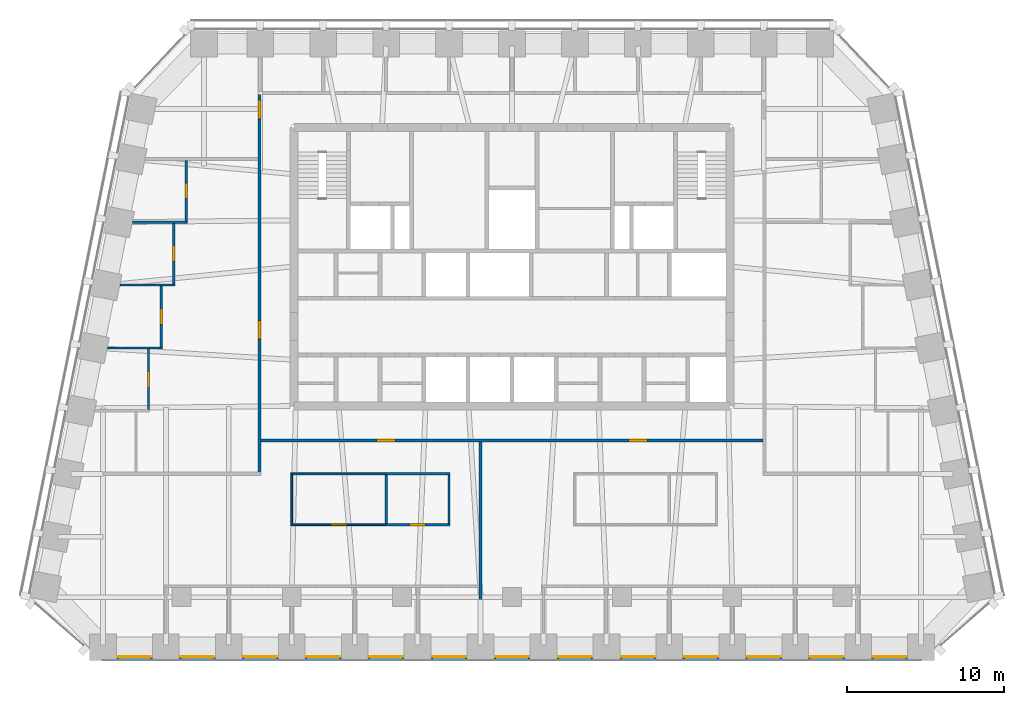
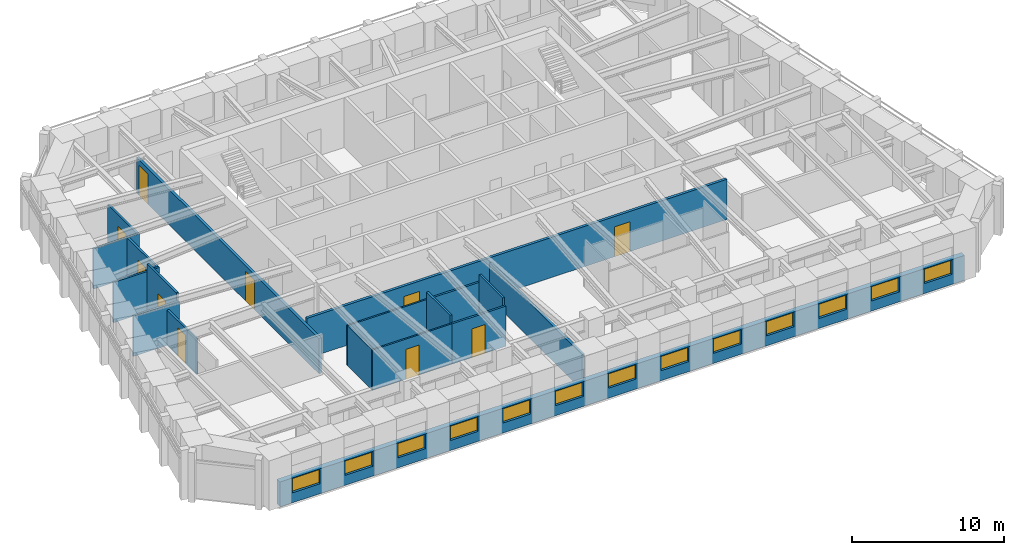
# One storey, part 5 of 11: 18 walls, 13 windows, 10 doors, 23 openings.
"""IFC4 building model written with IfcOpenShell, lengths in metres."""

from ifc_helpers import new_model, si_unit, direction, frame, frame_2d, origin, place, context, subcontext, project, spatial, rectangle, extrude, material, layer, layer_set, type_object, element, fill, save


model = new_model("IFC4")

# Units and contexts
model_context = context("Model", 3, precision=1e-05, world=origin(), true_north=direction((0.0, 1.0)))
body_context = subcontext(model_context, "Body", "Model", "MODEL_VIEW")
ifc_project = project(units=[si_unit("LENGTHUNIT", "METRE"), si_unit("AREAUNIT", "SQUARE_METRE"), si_unit("VOLUMEUNIT", "CUBIC_METRE"), si_unit("PLANEANGLEUNIT", "RADIAN"), si_unit("MASSUNIT", "GRAM", prefix="KILO")], contexts=[model_context])

# Site, building, storey
site_placement = place(None, origin())
site = spatial("IfcSite", under=ifc_project, at=site_placement, CompositionType="ELEMENT")
building_placement = place(site_placement, origin())
building = spatial("IfcBuilding", under=site, at=building_placement, Name="Isbrekke Arena Tower", CompositionType="ELEMENT")
storey_placement = place(building_placement, frame((0.0, 0.0, 276.0)))
storey = spatial("IfcBuildingStorey", under=building, at=storey_placement, Name="L64", CompositionType="ELEMENT", Elevation=276.0)

# Wall, openings, windows
ifc_material_1 = material(Name="Copper cladding on insulated framing", Category="metal")
ifc_layer_1 = layer(ifc_material_1, 0.39990234375)
ifc_layer_set_1 = layer_set([ifc_layer_1], Name="EW2 COPPER-CLAD WALL 400")
wall_type_1 = type_object("IfcWallType", Name="EW2 COPPER-CLAD WALL 400", PredefinedType="SOLIDWALL", material=ifc_layer_set_1)
wall_1_placement = place(storey_placement, frame((-26.0, -9.800048828125, 0.0), z_axis=(0.0, 0.0, 1.0), x_axis=(1.0, 0.0, 0.0)))
wall_1 = element("IfcWall", 1, at=wall_1_placement, inside=storey, type_object=wall_type_1, Name="EW2 terrace wall L64", PredefinedType="SOLIDWALL", context=body_context, shape_type="SweptSolid", body=[
    extrude(rectangle(XDim=52.0, YDim=0.39990234375, at=frame_2d((26.0, 0.0))), origin(), (0.0, 0.0, 1.0), 2.0),
])
opening_1_placement = place(wall_1_placement, frame((0.949951171875, 0.0, 0.800048828125)))
opening_1 = element("IfcOpeningElement", 2, at=opening_1_placement, cuts=wall_1, Name="Opening WN1", PredefinedType="OPENING", context=body_context, shape_type="SweptSolid", body=[
    extrude(rectangle(XDim=2.10009765625, YDim=1.14990234375, at=frame_2d((1.050048828125, 0.574951171875))), frame((0.0, 0.21484375, 0.0), z_axis=(0.0, -1.0, 0.0), x_axis=(1.0, 0.0, 0.0)), (0.0, 0.0, 1.0), 0.4296875),
])
opening_2_placement = place(wall_1_placement, frame((4.949951171875, 0.0, 0.800048828125)))
opening_2 = element("IfcOpeningElement", 3, at=opening_2_placement, cuts=wall_1, Name="Opening WN1", PredefinedType="OPENING", context=body_context, shape_type="SweptSolid", body=[
    extrude(rectangle(XDim=2.10009765625, YDim=1.14990234375, at=frame_2d((1.050048828125, 0.574951171875))), frame((0.0, 0.21484375, 0.0), z_axis=(0.0, -1.0, 0.0), x_axis=(1.0, 0.0, 0.0)), (0.0, 0.0, 1.0), 0.4296875),
])
opening_3_placement = place(wall_1_placement, frame((8.949951171875, 0.0, 0.800048828125)))
opening_3 = element("IfcOpeningElement", 4, at=opening_3_placement, cuts=wall_1, Name="Opening WN1", PredefinedType="OPENING", context=body_context, shape_type="SweptSolid", body=[
    extrude(rectangle(XDim=2.10009765625, YDim=1.14990234375, at=frame_2d((1.050048828125, 0.574951171875))), frame((0.0, 0.21484375, 0.0), z_axis=(0.0, -1.0, 0.0), x_axis=(1.0, 0.0, 0.0)), (0.0, 0.0, 1.0), 0.4296875),
])
opening_4_placement = place(wall_1_placement, frame((12.949951171875, 0.0, 0.800048828125)))
opening_4 = element("IfcOpeningElement", 5, at=opening_4_placement, cuts=wall_1, Name="Opening WN1", PredefinedType="OPENING", context=body_context, shape_type="SweptSolid", body=[
    extrude(rectangle(XDim=2.10009765625, YDim=1.14990234375, at=frame_2d((1.050048828125, 0.574951171875))), frame((0.0, 0.21484375, 0.0), z_axis=(0.0, -1.0, 0.0), x_axis=(1.0, 0.0, 0.0)), (0.0, 0.0, 1.0), 0.4296875),
])
opening_5_placement = place(wall_1_placement, frame((16.949951171875, 0.0, 0.800048828125)))
opening_5 = element("IfcOpeningElement", 6, at=opening_5_placement, cuts=wall_1, Name="Opening WN1", PredefinedType="OPENING", context=body_context, shape_type="SweptSolid", body=[
    extrude(rectangle(XDim=2.10009765625, YDim=1.14990234375, at=frame_2d((1.050048828125, 0.574951171875))), frame((0.0, 0.21484375, 0.0), z_axis=(0.0, -1.0, 0.0), x_axis=(1.0, 0.0, 0.0)), (0.0, 0.0, 1.0), 0.4296875),
])
opening_6_placement = place(wall_1_placement, frame((20.949951171875, 0.0, 0.800048828125)))
opening_6 = element("IfcOpeningElement", 7, at=opening_6_placement, cuts=wall_1, Name="Opening WN1", PredefinedType="OPENING", context=body_context, shape_type="SweptSolid", body=[
    extrude(rectangle(XDim=2.10009765625, YDim=1.14990234375, at=frame_2d((1.050048828125, 0.574951171875))), frame((0.0, 0.21484375, 0.0), z_axis=(0.0, -1.0, 0.0), x_axis=(1.0, 0.0, 0.0)), (0.0, 0.0, 1.0), 0.4296875),
])
opening_7_placement = place(wall_1_placement, frame((24.949951171875, 0.0, 0.800048828125)))
opening_7 = element("IfcOpeningElement", 8, at=opening_7_placement, cuts=wall_1, Name="Opening WN1", PredefinedType="OPENING", context=body_context, shape_type="SweptSolid", body=[
    extrude(rectangle(XDim=2.10009765625, YDim=1.14990234375, at=frame_2d((1.050048828125, 0.574951171875))), frame((0.0, 0.21484375, 0.0), z_axis=(0.0, -1.0, 0.0), x_axis=(1.0, 0.0, 0.0)), (0.0, 0.0, 1.0), 0.4296875),
])
opening_8_placement = place(wall_1_placement, frame((28.949951171875, 0.0, 0.800048828125)))
opening_8 = element("IfcOpeningElement", 9, at=opening_8_placement, cuts=wall_1, Name="Opening WN1", PredefinedType="OPENING", context=body_context, shape_type="SweptSolid", body=[
    extrude(rectangle(XDim=2.10009765625, YDim=1.14990234375, at=frame_2d((1.050048828125, 0.574951171875))), frame((0.0, 0.21484375, 0.0), z_axis=(0.0, -1.0, 0.0), x_axis=(1.0, 0.0, 0.0)), (0.0, 0.0, 1.0), 0.4296875),
])
opening_9_placement = place(wall_1_placement, frame((32.949951171875, 0.0, 0.800048828125)))
opening_9 = element("IfcOpeningElement", 10, at=opening_9_placement, cuts=wall_1, Name="Opening WN1", PredefinedType="OPENING", context=body_context, shape_type="SweptSolid", body=[
    extrude(rectangle(XDim=2.10009765625, YDim=1.14990234375, at=frame_2d((1.050048828125, 0.574951171875))), frame((0.0, 0.21484375, 0.0), z_axis=(0.0, -1.0, 0.0), x_axis=(1.0, 0.0, 0.0)), (0.0, 0.0, 1.0), 0.4296875),
])
opening_10_placement = place(wall_1_placement, frame((36.949951171875, 0.0, 0.800048828125)))
opening_10 = element("IfcOpeningElement", 11, at=opening_10_placement, cuts=wall_1, Name="Opening WN1", PredefinedType="OPENING", context=body_context, shape_type="SweptSolid", body=[
    extrude(rectangle(XDim=2.10009765625, YDim=1.14990234375, at=frame_2d((1.050048828125, 0.574951171875))), frame((0.0, 0.21484375, 0.0), z_axis=(0.0, -1.0, 0.0), x_axis=(1.0, 0.0, 0.0)), (0.0, 0.0, 1.0), 0.4296875),
])
opening_11_placement = place(wall_1_placement, frame((40.949951171875, 0.0, 0.800048828125)))
opening_11 = element("IfcOpeningElement", 12, at=opening_11_placement, cuts=wall_1, Name="Opening WN1", PredefinedType="OPENING", context=body_context, shape_type="SweptSolid", body=[
    extrude(rectangle(XDim=2.10009765625, YDim=1.14990234375, at=frame_2d((1.050048828125, 0.574951171875))), frame((0.0, 0.21484375, 0.0), z_axis=(0.0, -1.0, 0.0), x_axis=(1.0, 0.0, 0.0)), (0.0, 0.0, 1.0), 0.4296875),
])
opening_12_placement = place(wall_1_placement, frame((44.949951171875, 0.0, 0.800048828125)))
opening_12 = element("IfcOpeningElement", 13, at=opening_12_placement, cuts=wall_1, Name="Opening WN1", PredefinedType="OPENING", context=body_context, shape_type="SweptSolid", body=[
    extrude(rectangle(XDim=2.10009765625, YDim=1.14990234375, at=frame_2d((1.050048828125, 0.574951171875))), frame((0.0, 0.21484375, 0.0), z_axis=(0.0, -1.0, 0.0), x_axis=(1.0, 0.0, 0.0)), (0.0, 0.0, 1.0), 0.4296875),
])
opening_13_placement = place(wall_1_placement, frame((48.949951171875, 0.0, 0.800048828125)))
opening_13 = element("IfcOpeningElement", 14, at=opening_13_placement, cuts=wall_1, Name="Opening WN1", PredefinedType="OPENING", context=body_context, shape_type="SweptSolid", body=[
    extrude(rectangle(XDim=2.10009765625, YDim=1.14990234375, at=frame_2d((1.050048828125, 0.574951171875))), frame((0.0, 0.21484375, 0.0), z_axis=(0.0, -1.0, 0.0), x_axis=(1.0, 0.0, 0.0)), (0.0, 0.0, 1.0), 0.4296875),
])
ifc_material_2 = material(Name="Timber-aluminium window, triple glazed", Category="wood")
window_type = type_object("IfcWindowType", Name="WN1 TERRACE WINDOW 2100 x 1150", PartitioningType="SINGLE_PANEL", PredefinedType="WINDOW", material=ifc_material_2)
window_1_placement = place(opening_1_placement, origin())
window_1 = element("IfcWindow", 15, at=window_1_placement, inside=storey, type_object=window_type, Name="WN1 terrace window L64-1", OverallHeight=1.14990234375, OverallWidth=2.10009765625, PartitioningType="SINGLE_PANEL", PredefinedType="WINDOW", context=body_context, shape_type="SweptSolid", body=[
    extrude(rectangle(XDim=2.10009765625, YDim=1.14990234375, at=frame_2d((1.050048828125, 0.574951171875))), frame((0.0, 0.030029296875, 0.0), z_axis=(0.0, -1.0, 0.0), x_axis=(1.0, 0.0, 0.0)), (0.0, 0.0, 1.0), 0.06005859375),
])
fill(opening_1, window_1)
window_2_placement = place(opening_2_placement, origin())
window_2 = element("IfcWindow", 16, at=window_2_placement, inside=storey, type_object=window_type, Name="WN1 terrace window L64-2", OverallHeight=1.14990234375, OverallWidth=2.10009765625, PartitioningType="SINGLE_PANEL", PredefinedType="WINDOW", context=body_context, shape_type="SweptSolid", body=[
    extrude(rectangle(XDim=2.10009765625, YDim=1.14990234375, at=frame_2d((1.050048828125, 0.574951171875))), frame((0.0, 0.030029296875, 0.0), z_axis=(0.0, -1.0, 0.0), x_axis=(1.0, 0.0, 0.0)), (0.0, 0.0, 1.0), 0.06005859375),
])
fill(opening_2, window_2)
window_3_placement = place(opening_3_placement, origin())
window_3 = element("IfcWindow", 17, at=window_3_placement, inside=storey, type_object=window_type, Name="WN1 terrace window L64-3", OverallHeight=1.14990234375, OverallWidth=2.10009765625, PartitioningType="SINGLE_PANEL", PredefinedType="WINDOW", context=body_context, shape_type="SweptSolid", body=[
    extrude(rectangle(XDim=2.10009765625, YDim=1.14990234375, at=frame_2d((1.050048828125, 0.574951171875))), frame((0.0, 0.030029296875, 0.0), z_axis=(0.0, -1.0, 0.0), x_axis=(1.0, 0.0, 0.0)), (0.0, 0.0, 1.0), 0.06005859375),
])
fill(opening_3, window_3)
window_4_placement = place(opening_4_placement, origin())
window_4 = element("IfcWindow", 18, at=window_4_placement, inside=storey, type_object=window_type, Name="WN1 terrace window L64-4", OverallHeight=1.14990234375, OverallWidth=2.10009765625, PartitioningType="SINGLE_PANEL", PredefinedType="WINDOW", context=body_context, shape_type="SweptSolid", body=[
    extrude(rectangle(XDim=2.10009765625, YDim=1.14990234375, at=frame_2d((1.050048828125, 0.574951171875))), frame((0.0, 0.030029296875, 0.0), z_axis=(0.0, -1.0, 0.0), x_axis=(1.0, 0.0, 0.0)), (0.0, 0.0, 1.0), 0.06005859375),
])
fill(opening_4, window_4)
window_5_placement = place(opening_5_placement, origin())
window_5 = element("IfcWindow", 19, at=window_5_placement, inside=storey, type_object=window_type, Name="WN1 terrace window L64-5", OverallHeight=1.14990234375, OverallWidth=2.10009765625, PartitioningType="SINGLE_PANEL", PredefinedType="WINDOW", context=body_context, shape_type="SweptSolid", body=[
    extrude(rectangle(XDim=2.10009765625, YDim=1.14990234375, at=frame_2d((1.050048828125, 0.574951171875))), frame((0.0, 0.030029296875, 0.0), z_axis=(0.0, -1.0, 0.0), x_axis=(1.0, 0.0, 0.0)), (0.0, 0.0, 1.0), 0.06005859375),
])
fill(opening_5, window_5)
window_6_placement = place(opening_6_placement, origin())
window_6 = element("IfcWindow", 20, at=window_6_placement, inside=storey, type_object=window_type, Name="WN1 terrace window L64-6", OverallHeight=1.14990234375, OverallWidth=2.10009765625, PartitioningType="SINGLE_PANEL", PredefinedType="WINDOW", context=body_context, shape_type="SweptSolid", body=[
    extrude(rectangle(XDim=2.10009765625, YDim=1.14990234375, at=frame_2d((1.050048828125, 0.574951171875))), frame((0.0, 0.030029296875, 0.0), z_axis=(0.0, -1.0, 0.0), x_axis=(1.0, 0.0, 0.0)), (0.0, 0.0, 1.0), 0.06005859375),
])
fill(opening_6, window_6)
window_7_placement = place(opening_7_placement, origin())
window_7 = element("IfcWindow", 21, at=window_7_placement, inside=storey, type_object=window_type, Name="WN1 terrace window L64-7", OverallHeight=1.14990234375, OverallWidth=2.10009765625, PartitioningType="SINGLE_PANEL", PredefinedType="WINDOW", context=body_context, shape_type="SweptSolid", body=[
    extrude(rectangle(XDim=2.10009765625, YDim=1.14990234375, at=frame_2d((1.050048828125, 0.574951171875))), frame((0.0, 0.030029296875, 0.0), z_axis=(0.0, -1.0, 0.0), x_axis=(1.0, 0.0, 0.0)), (0.0, 0.0, 1.0), 0.06005859375),
])
fill(opening_7, window_7)
window_8_placement = place(opening_8_placement, origin())
window_8 = element("IfcWindow", 22, at=window_8_placement, inside=storey, type_object=window_type, Name="WN1 terrace window L64-8", OverallHeight=1.14990234375, OverallWidth=2.10009765625, PartitioningType="SINGLE_PANEL", PredefinedType="WINDOW", context=body_context, shape_type="SweptSolid", body=[
    extrude(rectangle(XDim=2.10009765625, YDim=1.14990234375, at=frame_2d((1.050048828125, 0.574951171875))), frame((0.0, 0.030029296875, 0.0), z_axis=(0.0, -1.0, 0.0), x_axis=(1.0, 0.0, 0.0)), (0.0, 0.0, 1.0), 0.06005859375),
])
fill(opening_8, window_8)
window_9_placement = place(opening_9_placement, origin())
window_9 = element("IfcWindow", 23, at=window_9_placement, inside=storey, type_object=window_type, Name="WN1 terrace window L64-9", OverallHeight=1.14990234375, OverallWidth=2.10009765625, PartitioningType="SINGLE_PANEL", PredefinedType="WINDOW", context=body_context, shape_type="SweptSolid", body=[
    extrude(rectangle(XDim=2.10009765625, YDim=1.14990234375, at=frame_2d((1.050048828125, 0.574951171875))), frame((0.0, 0.030029296875, 0.0), z_axis=(0.0, -1.0, 0.0), x_axis=(1.0, 0.0, 0.0)), (0.0, 0.0, 1.0), 0.06005859375),
])
fill(opening_9, window_9)
window_10_placement = place(opening_10_placement, origin())
window_10 = element("IfcWindow", 24, at=window_10_placement, inside=storey, type_object=window_type, Name="WN1 terrace window L64-10", OverallHeight=1.14990234375, OverallWidth=2.10009765625, PartitioningType="SINGLE_PANEL", PredefinedType="WINDOW", context=body_context, shape_type="SweptSolid", body=[
    extrude(rectangle(XDim=2.10009765625, YDim=1.14990234375, at=frame_2d((1.050048828125, 0.574951171875))), frame((0.0, 0.030029296875, 0.0), z_axis=(0.0, -1.0, 0.0), x_axis=(1.0, 0.0, 0.0)), (0.0, 0.0, 1.0), 0.06005859375),
])
fill(opening_10, window_10)
window_11_placement = place(opening_11_placement, origin())
window_11 = element("IfcWindow", 25, at=window_11_placement, inside=storey, type_object=window_type, Name="WN1 terrace window L64-11", OverallHeight=1.14990234375, OverallWidth=2.10009765625, PartitioningType="SINGLE_PANEL", PredefinedType="WINDOW", context=body_context, shape_type="SweptSolid", body=[
    extrude(rectangle(XDim=2.10009765625, YDim=1.14990234375, at=frame_2d((1.050048828125, 0.574951171875))), frame((0.0, 0.030029296875, 0.0), z_axis=(0.0, -1.0, 0.0), x_axis=(1.0, 0.0, 0.0)), (0.0, 0.0, 1.0), 0.06005859375),
])
fill(opening_11, window_11)
window_12_placement = place(opening_12_placement, origin())
window_12 = element("IfcWindow", 26, at=window_12_placement, inside=storey, type_object=window_type, Name="WN1 terrace window L64-12", OverallHeight=1.14990234375, OverallWidth=2.10009765625, PartitioningType="SINGLE_PANEL", PredefinedType="WINDOW", context=body_context, shape_type="SweptSolid", body=[
    extrude(rectangle(XDim=2.10009765625, YDim=1.14990234375, at=frame_2d((1.050048828125, 0.574951171875))), frame((0.0, 0.030029296875, 0.0), z_axis=(0.0, -1.0, 0.0), x_axis=(1.0, 0.0, 0.0)), (0.0, 0.0, 1.0), 0.06005859375),
])
fill(opening_12, window_12)
window_13_placement = place(opening_13_placement, origin())
window_13 = element("IfcWindow", 27, at=window_13_placement, inside=storey, type_object=window_type, Name="WN1 terrace window L64-13", OverallHeight=1.14990234375, OverallWidth=2.10009765625, PartitioningType="SINGLE_PANEL", PredefinedType="WINDOW", context=body_context, shape_type="SweptSolid", body=[
    extrude(rectangle(XDim=2.10009765625, YDim=1.14990234375, at=frame_2d((1.050048828125, 0.574951171875))), frame((0.0, 0.030029296875, 0.0), z_axis=(0.0, -1.0, 0.0), x_axis=(1.0, 0.0, 0.0)), (0.0, 0.0, 1.0), 0.06005859375),
])
fill(opening_13, window_13)

# Wall, opening, door
ifc_material_3 = material(Name="Gypsum board partition on steel studs", Category="steel")
ifc_layer_2 = layer(ifc_material_3, 0.14990234375)
ifc_layer_set_2 = layer_set([ifc_layer_2], Name="IW1 PARTITION 150")
wall_type_2 = type_object("IfcWallType", Name="IW1 PARTITION 150", PredefinedType="PARTITIONING", material=ifc_layer_set_2)
wall_2_placement = place(storey_placement, frame((-8.0, -1.39990234375, 0.0), z_axis=(0.0, 0.0, 1.0), x_axis=(1.0, 0.0, 0.0)))
wall_2 = element("IfcWall", 28, at=wall_2_placement, inside=storey, type_object=wall_type_2, Name="IW1 partition 150 L64", PredefinedType="PARTITIONING", context=body_context, shape_type="SweptSolid", body=[
    extrude(rectangle(XDim=4.074951171875, YDim=0.14990234375, at=frame_2d((2.03759765625, 0.0))), origin(), (0.0, 0.0, 1.0), 3.22998046875),
])
opening_14_placement = place(wall_2_placement, frame((1.5, 0.0, 0.0)))
opening_14 = element("IfcOpeningElement", 29, at=opening_14_placement, cuts=wall_2, Name="Opening D10", PredefinedType="OPENING", context=body_context, shape_type="SweptSolid", body=[
    extrude(rectangle(XDim=1.0, YDim=2.300048828125, at=frame_2d((0.5, 1.14990234375))), frame((0.0, 0.08984375, 0.0), z_axis=(0.0, -1.0, 0.0), x_axis=(1.0, 0.0, 0.0)), (0.0, 0.0, 1.0), 0.1796875),
])
ifc_material_4 = material(Name="Timber door", Category="wood")
door_type_1 = type_object("IfcDoorType", Name="D10 OFFICE DOOR 1000 x 2300", OperationType="SINGLE_SWING_LEFT", PredefinedType="DOOR", material=ifc_material_4)
door_1_placement = place(opening_14_placement, origin())
door_1 = element("IfcDoor", 30, at=door_1_placement, inside=storey, type_object=door_type_1, Name="D10 pantry door L64", OperationType="SINGLE_SWING_LEFT", OverallHeight=2.300048828125, OverallWidth=1.0, PredefinedType="DOOR", context=body_context, shape_type="SweptSolid", body=[
    extrude(rectangle(XDim=1.0, YDim=2.300048828125, at=frame_2d((0.5, 1.14990234375))), frame((0.0, 0.07470703125, 0.0), z_axis=(0.0, -1.0, 0.0), x_axis=(1.0, 0.0, 0.0)), (0.0, 0.0, 1.0), 0.1494140625),
])
fill(opening_14, door_1)

# Walls
wall_3_placement = place(storey_placement, frame((-8.0, 1.840087890625, 0.0), z_axis=(0.0, 0.0, 1.0), x_axis=(1.0, 0.0, 0.0)))
element("IfcWall", 31, at=wall_3_placement, inside=storey, type_object=wall_type_2, Name="IW1 partition 150 L64", PredefinedType="PARTITIONING", context=body_context, shape_type="SweptSolid", body=[
    extrude(rectangle(XDim=4.074951171875, YDim=0.14990234375, at=frame_2d((2.03759765625, 0.0))), origin(), (0.0, 0.0, 1.0), 3.22998046875),
])
for number, where, z_axis, x_axis, name in (
    (32, (-25.723876953125, 9.840087890625, 0.0), (0.0, 0.0, 1.0), (1.0, 0.0, 0.0), "IW1 partition 150 L64"),
    (33, (-24.923828125, 13.840087890625, 0.0), (0.0, 0.0, 1.0), (1.0, 0.0, 0.0), "IW1 partition 150 L64"),
    (34, (-24.123779296875, 17.840087890625, 0.0), (0.0, 0.0, 1.0), (1.0, 0.0, 0.0), "IW1 partition 150 L64"),
):
    element("IfcWall", number, at=place(storey_placement, frame(where, z_axis=z_axis, x_axis=x_axis)), inside=storey, type_object=wall_type_2, Name=name, PredefinedType="PARTITIONING", context=body_context, shape_type="SweptSolid", body=[
        extrude(rectangle(XDim=3.498779296875, YDim=0.14990234375, at=frame_2d((1.74951171875, 0.0))), origin(), (0.0, 0.0, 1.0), 3.22998046875),
    ])

# Wall, opening, door
wall_4_placement = place(storey_placement, frame((-23.10009765625, 5.9150390625, 0.0), z_axis=(0.0, 0.0, 1.0), x_axis=(0.0, 1.0, 0.0)))
wall_4 = element("IfcWall", 35, at=wall_4_placement, inside=storey, type_object=wall_type_2, Name="IW1 partition 150 L64", PredefinedType="PARTITIONING", context=body_context, shape_type="SweptSolid", body=[
    extrude(rectangle(XDim=3.849853515625, YDim=0.14990234375, at=frame_2d((1.9248046875, 0.0))), origin(), (0.0, 0.0, 1.0), 2.842041015625),
])
opening_15_placement = place(wall_4_placement, frame((1.425048828125, 0.0, 0.0)))
opening_15 = element("IfcOpeningElement", 36, at=opening_15_placement, cuts=wall_4, Name="Opening D10", PredefinedType="OPENING", context=body_context, shape_type="SweptSolid", body=[
    extrude(rectangle(XDim=1.0, YDim=2.300048828125, at=frame_2d((0.5, 1.14990234375))), frame((0.0, 0.08984375, 0.0), z_axis=(0.0, -1.0, 0.0), x_axis=(1.0, 0.0, 0.0)), (0.0, 0.0, 1.0), 0.1796875),
])
door_2_placement = place(opening_15_placement, origin())
door_2 = element("IfcDoor", 37, at=door_2_placement, inside=storey, type_object=door_type_1, Name="D10 office door L64", OperationType="SINGLE_SWING_LEFT", OverallHeight=2.300048828125, OverallWidth=1.0, PredefinedType="DOOR", context=body_context, shape_type="SweptSolid", body=[
    extrude(rectangle(XDim=1.0, YDim=2.300048828125, at=frame_2d((0.5, 1.14990234375))), frame((0.0, 0.07470703125, 0.0), z_axis=(0.0, -1.0, 0.0), x_axis=(1.0, 0.0, 0.0)), (0.0, 0.0, 1.0), 0.1494140625),
])
fill(opening_15, door_2)

wall_5_placement = place(storey_placement, frame((-22.300048828125, 9.9150390625, 0.0), z_axis=(0.0, 0.0, 1.0), x_axis=(0.0, 1.0, 0.0)))
wall_5 = element("IfcWall", 38, at=wall_5_placement, inside=storey, type_object=wall_type_2, Name="IW1 partition 150 L64", PredefinedType="PARTITIONING", context=body_context, shape_type="SweptSolid", body=[
    extrude(rectangle(XDim=3.849853515625, YDim=0.14990234375, at=frame_2d((1.9248046875, 0.0))), origin(), (0.0, 0.0, 1.0), 3.85009765625),
])
opening_16_placement = place(wall_5_placement, frame((1.425048828125, 0.0, 0.0)))
opening_16 = element("IfcOpeningElement", 39, at=opening_16_placement, cuts=wall_5, Name="Opening D10", PredefinedType="OPENING", context=body_context, shape_type="SweptSolid", body=[
    extrude(rectangle(XDim=1.0, YDim=2.300048828125, at=frame_2d((0.5, 1.14990234375))), frame((0.0, 0.08984375, 0.0), z_axis=(0.0, -1.0, 0.0), x_axis=(1.0, 0.0, 0.0)), (0.0, 0.0, 1.0), 0.1796875),
])
door_3_placement = place(opening_16_placement, origin())
door_3 = element("IfcDoor", 40, at=door_3_placement, inside=storey, type_object=door_type_1, Name="D10 office door L64", OperationType="SINGLE_SWING_LEFT", OverallHeight=2.300048828125, OverallWidth=1.0, PredefinedType="DOOR", context=body_context, shape_type="SweptSolid", body=[
    extrude(rectangle(XDim=1.0, YDim=2.300048828125, at=frame_2d((0.5, 1.14990234375))), frame((0.0, 0.07470703125, 0.0), z_axis=(0.0, -1.0, 0.0), x_axis=(1.0, 0.0, 0.0)), (0.0, 0.0, 1.0), 0.1494140625),
])
fill(opening_16, door_3)

wall_6_placement = place(storey_placement, frame((-21.5, 13.9150390625, 0.0), z_axis=(0.0, 0.0, 1.0), x_axis=(0.0, 1.0, 0.0)))
wall_6 = element("IfcWall", 41, at=wall_6_placement, inside=storey, type_object=wall_type_2, Name="IW1 partition 150 L64", PredefinedType="PARTITIONING", context=body_context, shape_type="SweptSolid", body=[
    extrude(rectangle(XDim=3.849853515625, YDim=0.14990234375, at=frame_2d((1.9248046875, 0.0))), origin(), (0.0, 0.0, 1.0), 3.22998046875),
])
opening_17_placement = place(wall_6_placement, frame((1.425048828125, 0.0, 0.0)))
opening_17 = element("IfcOpeningElement", 42, at=opening_17_placement, cuts=wall_6, Name="Opening D10", PredefinedType="OPENING", context=body_context, shape_type="SweptSolid", body=[
    extrude(rectangle(XDim=1.0, YDim=2.300048828125, at=frame_2d((0.5, 1.14990234375))), frame((0.0, 0.08984375, 0.0), z_axis=(0.0, -1.0, 0.0), x_axis=(1.0, 0.0, 0.0)), (0.0, 0.0, 1.0), 0.1796875),
])
door_4_placement = place(opening_17_placement, origin())
door_4 = element("IfcDoor", 43, at=door_4_placement, inside=storey, type_object=door_type_1, Name="D10 office door L64", OperationType="SINGLE_SWING_LEFT", OverallHeight=2.300048828125, OverallWidth=1.0, PredefinedType="DOOR", context=body_context, shape_type="SweptSolid", body=[
    extrude(rectangle(XDim=1.0, YDim=2.300048828125, at=frame_2d((0.5, 1.14990234375))), frame((0.0, 0.07470703125, 0.0), z_axis=(0.0, -1.0, 0.0), x_axis=(1.0, 0.0, 0.0)), (0.0, 0.0, 1.0), 0.1494140625),
])
fill(opening_17, door_4)

wall_7_placement = place(storey_placement, frame((-20.699951171875, 17.9150390625, 0.0), z_axis=(0.0, 0.0, 1.0), x_axis=(0.0, 1.0, 0.0)))
wall_7 = element("IfcWall", 44, at=wall_7_placement, inside=storey, type_object=wall_type_2, Name="IW1 partition 150 L64", PredefinedType="PARTITIONING", context=body_context, shape_type="SweptSolid", body=[
    extrude(rectangle(XDim=3.824951171875, YDim=0.14990234375, at=frame_2d((1.91259765625, 0.0))), origin(), (0.0, 0.0, 1.0), 3.22998046875),
])
opening_18_placement = place(wall_7_placement, frame((1.425048828125, 0.0, 0.0)))
opening_18 = element("IfcOpeningElement", 45, at=opening_18_placement, cuts=wall_7, Name="Opening D10", PredefinedType="OPENING", context=body_context, shape_type="SweptSolid", body=[
    extrude(rectangle(XDim=1.0, YDim=2.300048828125, at=frame_2d((0.5, 1.14990234375))), frame((0.0, 0.08984375, 0.0), z_axis=(0.0, -1.0, 0.0), x_axis=(1.0, 0.0, 0.0)), (0.0, 0.0, 1.0), 0.1796875),
])
door_5_placement = place(opening_18_placement, origin())
door_5 = element("IfcDoor", 46, at=door_5_placement, inside=storey, type_object=door_type_1, Name="D10 office door L64", OperationType="SINGLE_SWING_LEFT", OverallHeight=2.300048828125, OverallWidth=1.0, PredefinedType="DOOR", context=body_context, shape_type="SweptSolid", body=[
    extrude(rectangle(XDim=1.0, YDim=2.300048828125, at=frame_2d((0.5, 1.14990234375))), frame((0.0, 0.07470703125, 0.0), z_axis=(0.0, -1.0, 0.0), x_axis=(1.0, 0.0, 0.0)), (0.0, 0.0, 1.0), 0.1494140625),
])
fill(opening_18, door_5)

# Walls
for number, where, z_axis, x_axis, name in (
    (47, (-8.0, -1.324951171875, 0.0), (0.0, 0.0, 1.0), (0.0, 1.0, 0.0), "IW1 partition 150 L64"),
    (48, (-4.0, -1.324951171875, 0.0), (0.0, 0.0, 1.0), (0.0, 1.0, 0.0), "IW1 partition 150 L64"),
):
    element("IfcWall", number, at=place(storey_placement, frame(where, z_axis=z_axis, x_axis=x_axis)), inside=storey, type_object=wall_type_2, Name=name, PredefinedType="PARTITIONING", context=body_context, shape_type="SweptSolid", body=[
        extrude(rectangle(XDim=3.08984375, YDim=0.14990234375, at=frame_2d((1.544921875, 0.0))), origin(), (0.0, 0.0, 1.0), 3.85009765625),
    ])

# Wall, opening, door
ifc_material_5 = material(Name="Frameless glazed partition, laminated acoustic glass", Category="glass")
ifc_layer_3 = layer(ifc_material_5, 0.1201171875)
ifc_layer_set_3 = layer_set([ifc_layer_3], Name="IW2 GLAZED PARTITION 120")
wall_type_3 = type_object("IfcWallType", Name="IW2 GLAZED PARTITION 120", PredefinedType="PARTITIONING", material=ifc_layer_set_3)
wall_8_placement = place(storey_placement, frame((-14.06005859375, -1.39990234375, 0.0), z_axis=(0.0, 0.0, 1.0), x_axis=(1.0, 0.0, 0.0)))
wall_8 = element("IfcWall", 49, at=wall_8_placement, inside=storey, type_object=wall_type_3, Name="IW2 glazed partition 120 L64", PredefinedType="PARTITIONING", context=body_context, shape_type="SweptSolid", body=[
    extrude(rectangle(XDim=6.06005859375, YDim=0.1201171875, at=frame_2d((3.030029296875, 0.0))), origin(), (0.0, 0.0, 1.0), 3.22998046875),
])
opening_19_placement = place(wall_8_placement, frame((2.56005859375, 0.0, 0.0)))
opening_19 = element("IfcOpeningElement", 50, at=opening_19_placement, cuts=wall_8, Name="Opening D11", PredefinedType="OPENING", context=body_context, shape_type="SweptSolid", body=[
    extrude(rectangle(XDim=1.0, YDim=2.39990234375, at=frame_2d((0.5, 1.199951171875))), frame((0.0, 0.074951171875, 0.0), z_axis=(0.0, -1.0, 0.0), x_axis=(1.0, 0.0, 0.0)), (0.0, 0.0, 1.0), 0.14990234375),
])
ifc_material_6 = material(Name="Frameless glazed door", Category="glass")
door_type_2 = type_object("IfcDoorType", Name="D11 GLAZED MEETING ROOM DOOR 1000 x 2400", OperationType="SINGLE_SWING_RIGHT", PredefinedType="DOOR", material=ifc_material_6)
door_6_placement = place(opening_19_placement, origin())
door_6 = element("IfcDoor", 51, at=door_6_placement, inside=storey, type_object=door_type_2, Name="D11 meeting room door L64", OperationType="SINGLE_SWING_RIGHT", OverallHeight=2.39990234375, OverallWidth=1.0, PredefinedType="DOOR", context=body_context, shape_type="SweptSolid", body=[
    extrude(rectangle(XDim=1.0, YDim=2.39990234375, at=frame_2d((0.5, 1.199951171875))), frame((0.0, 0.059814453125, 0.0), z_axis=(0.0, -1.0, 0.0), x_axis=(1.0, 0.0, 0.0)), (0.0, 0.0, 1.0), 0.11962890625),
])
fill(opening_19, door_6)

# Walls
wall_9_placement = place(storey_placement, frame((-14.06005859375, 1.840087890625, 0.0), z_axis=(0.0, 0.0, 1.0), x_axis=(1.0, 0.0, 0.0)))
element("IfcWall", 52, at=wall_9_placement, inside=storey, type_object=wall_type_3, Name="IW2 glazed partition 120 L64", PredefinedType="PARTITIONING", context=body_context, shape_type="SweptSolid", body=[
    extrude(rectangle(XDim=6.06005859375, YDim=0.1201171875, at=frame_2d((3.030029296875, 0.0))), origin(), (0.0, 0.0, 1.0), 3.22998046875),
])
wall_10_placement = place(storey_placement, frame((-14.0, -1.340087890625, 0.0), z_axis=(0.0, 0.0, 1.0), x_axis=(0.0, 1.0, 0.0)))
element("IfcWall", 53, at=wall_10_placement, inside=storey, type_object=wall_type_3, Name="IW2 glazed partition 120 L64", PredefinedType="PARTITIONING", context=body_context, shape_type="SweptSolid", body=[
    extrude(rectangle(XDim=3.1201171875, YDim=0.1201171875, at=frame_2d((1.56005859375, 0.0))), origin(), (0.0, 0.0, 1.0), 3.22998046875),
])

# Wall, openings, doors
ifc_material_7 = material(Name="Gypsum board fire-cell wall on steel studs, two layers each side", Category="steel")
ifc_layer_4 = layer(ifc_material_7, 0.199951171875)
ifc_layer_set_4 = layer_set([ifc_layer_4], Name="IW3 FIRE-CELL WALL 200")
wall_type_4 = type_object("IfcWallType", Name="IW3 FIRE-CELL WALL 200", PredefinedType="PARTITIONING", material=ifc_layer_set_4)
wall_11_placement = place(storey_placement, frame((-15.949951171875, 3.949951171875, 0.0), z_axis=(0.0, 0.0, 1.0), x_axis=(1.0, 0.0, 0.0)))
wall_11 = element("IfcWall", 54, at=wall_11_placement, inside=storey, type_object=wall_type_4, Name="IW3 fire-cell wall 200 L64", PredefinedType="PARTITIONING", context=body_context, shape_type="SweptSolid", body=[
    extrude(rectangle(XDim=31.89990234375, YDim=0.199951171875, at=frame_2d((15.949951171875, 0.0))), origin(), (0.0, 0.0, 1.0), 3.22998046875),
])
opening_20_placement = place(wall_11_placement, frame((7.35009765625, 0.0, 0.0)))
opening_20 = element("IfcOpeningElement", 55, at=opening_20_placement, cuts=wall_11, Name="Opening D12", PredefinedType="OPENING", context=body_context, shape_type="SweptSolid", body=[
    extrude(rectangle(XDim=1.199951171875, YDim=2.39990234375, at=frame_2d((0.60009765625, 1.199951171875))), frame((0.0, 0.11474609375, 0.0), z_axis=(0.0, -1.0, 0.0), x_axis=(1.0, 0.0, 0.0)), (0.0, 0.0, 1.0), 0.229736328125),
])
opening_21_placement = place(wall_11_placement, frame((23.35009765625, 0.0, 0.0)))
opening_21 = element("IfcOpeningElement", 56, at=opening_21_placement, cuts=wall_11, Name="Opening D12", PredefinedType="OPENING", context=body_context, shape_type="SweptSolid", body=[
    extrude(rectangle(XDim=1.199951171875, YDim=2.39990234375, at=frame_2d((0.60009765625, 1.199951171875))), frame((0.0, 0.11474609375, 0.0), z_axis=(0.0, -1.0, 0.0), x_axis=(1.0, 0.0, 0.0)), (0.0, 0.0, 1.0), 0.229736328125),
])
ifc_material_8 = material(Name="Timber fire door with vision panel", Category="wood")
door_type_3 = type_object("IfcDoorType", Name="D12 SUITE ENTRANCE DOOR 1200 x 2400", OperationType="SINGLE_SWING_LEFT", PredefinedType="DOOR", material=ifc_material_8)
door_7_placement = place(opening_20_placement, origin())
door_7 = element("IfcDoor", 57, at=door_7_placement, inside=storey, type_object=door_type_3, Name="D12 suite entrance SW door L64", OperationType="SINGLE_SWING_LEFT", OverallHeight=2.39990234375, OverallWidth=1.199951171875, PredefinedType="DOOR", context=body_context, shape_type="SweptSolid", body=[
    extrude(rectangle(XDim=1.199951171875, YDim=2.39990234375, at=frame_2d((0.60009765625, 1.199951171875))), frame((0.0, 0.099609375, 0.0), z_axis=(0.0, -1.0, 0.0), x_axis=(1.0, 0.0, 0.0)), (0.0, 0.0, 1.0), 0.199462890625),
])
fill(opening_20, door_7)
door_8_placement = place(opening_21_placement, origin())
door_8 = element("IfcDoor", 58, at=door_8_placement, inside=storey, type_object=door_type_3, Name="D12 suite entrance SE door L64", OperationType="SINGLE_SWING_LEFT", OverallHeight=2.39990234375, OverallWidth=1.199951171875, PredefinedType="DOOR", context=body_context, shape_type="SweptSolid", body=[
    extrude(rectangle(XDim=1.199951171875, YDim=2.39990234375, at=frame_2d((0.60009765625, 1.199951171875))), frame((0.0, 0.099609375, 0.0), z_axis=(0.0, -1.0, 0.0), x_axis=(1.0, 0.0, 0.0)), (0.0, 0.0, 1.0), 0.199462890625),
])
fill(opening_21, door_8)

wall_12_placement = place(storey_placement, frame((-16.050048828125, 1.93994140625, 0.0), z_axis=(0.0, 0.0, 1.0), x_axis=(0.0, 1.0, 0.0)))
wall_12 = element("IfcWall", 59, at=wall_12_placement, inside=storey, type_object=wall_type_4, Name="IW3 fire-cell wall 200 L64", PredefinedType="PARTITIONING", context=body_context, shape_type="SweptSolid", body=[
    extrude(rectangle(XDim=24.010009765625, YDim=0.199951171875, at=frame_2d((12.0048828125, 0.0))), origin(), (0.0, 0.0, 1.0), 2.842041015625),
])
opening_22_placement = place(wall_12_placement, frame((8.4599609375, 0.0, 0.0)))
opening_22 = element("IfcOpeningElement", 60, at=opening_22_placement, cuts=wall_12, Name="Opening D12", PredefinedType="OPENING", context=body_context, shape_type="SweptSolid", body=[
    extrude(rectangle(XDim=1.199951171875, YDim=2.39990234375, at=frame_2d((0.60009765625, 1.199951171875))), frame((0.0, 0.11474609375, 0.0), z_axis=(0.0, -1.0, 0.0), x_axis=(1.0, 0.0, 0.0)), (0.0, 0.0, 1.0), 0.229736328125),
])
opening_23_placement = place(wall_12_placement, frame((22.4599609375, 0.0, 0.0)))
opening_23 = element("IfcOpeningElement", 61, at=opening_23_placement, cuts=wall_12, Name="Opening D12", PredefinedType="OPENING", context=body_context, shape_type="SweptSolid", body=[
    extrude(rectangle(XDim=1.199951171875, YDim=2.39990234375, at=frame_2d((0.60009765625, 1.199951171875))), frame((0.0, 0.11474609375, 0.0), z_axis=(0.0, -1.0, 0.0), x_axis=(1.0, 0.0, 0.0)), (0.0, 0.0, 1.0), 0.229736328125),
])
door_9_placement = place(opening_22_placement, origin())
door_9 = element("IfcDoor", 62, at=door_9_placement, inside=storey, type_object=door_type_3, Name="D12 suite entrance W door L64", OperationType="SINGLE_SWING_LEFT", OverallHeight=2.39990234375, OverallWidth=1.199951171875, PredefinedType="DOOR", context=body_context, shape_type="SweptSolid", body=[
    extrude(rectangle(XDim=1.199951171875, YDim=2.39990234375, at=frame_2d((0.60009765625, 1.199951171875))), frame((0.0, 0.099609375, 0.0), z_axis=(0.0, -1.0, 0.0), x_axis=(1.0, 0.0, 0.0)), (0.0, 0.0, 1.0), 0.199462890625),
])
fill(opening_22, door_9)
door_10_placement = place(opening_23_placement, origin())
door_10 = element("IfcDoor", 63, at=door_10_placement, inside=storey, type_object=door_type_3, Name="D12 suite entrance NCW door L64", OperationType="SINGLE_SWING_LEFT", OverallHeight=2.39990234375, OverallWidth=1.199951171875, PredefinedType="DOOR", context=body_context, shape_type="SweptSolid", body=[
    extrude(rectangle(XDim=1.199951171875, YDim=2.39990234375, at=frame_2d((0.60009765625, 1.199951171875))), frame((0.0, 0.099609375, 0.0), z_axis=(0.0, -1.0, 0.0), x_axis=(1.0, 0.0, 0.0)), (0.0, 0.0, 1.0), 0.199462890625),
])
fill(opening_23, door_10)

# Wall
wall_13_placement = place(storey_placement, frame((-2.0, -8.324951171875, 0.0), z_axis=(0.0, 0.0, 1.0), x_axis=(0.0, 1.0, 0.0)))
element("IfcWall", 64, at=wall_13_placement, inside=storey, type_object=wall_type_4, Name="IW3 fire-cell wall 200 L64", PredefinedType="PARTITIONING", context=body_context, shape_type="SweptSolid", body=[
    extrude(rectangle(XDim=12.175048828125, YDim=0.199951171875, at=frame_2d((6.08740234375, 0.0))), origin(), (0.0, 0.0, 1.0), 2.842041015625),
])

save(model, "model.ifc")
